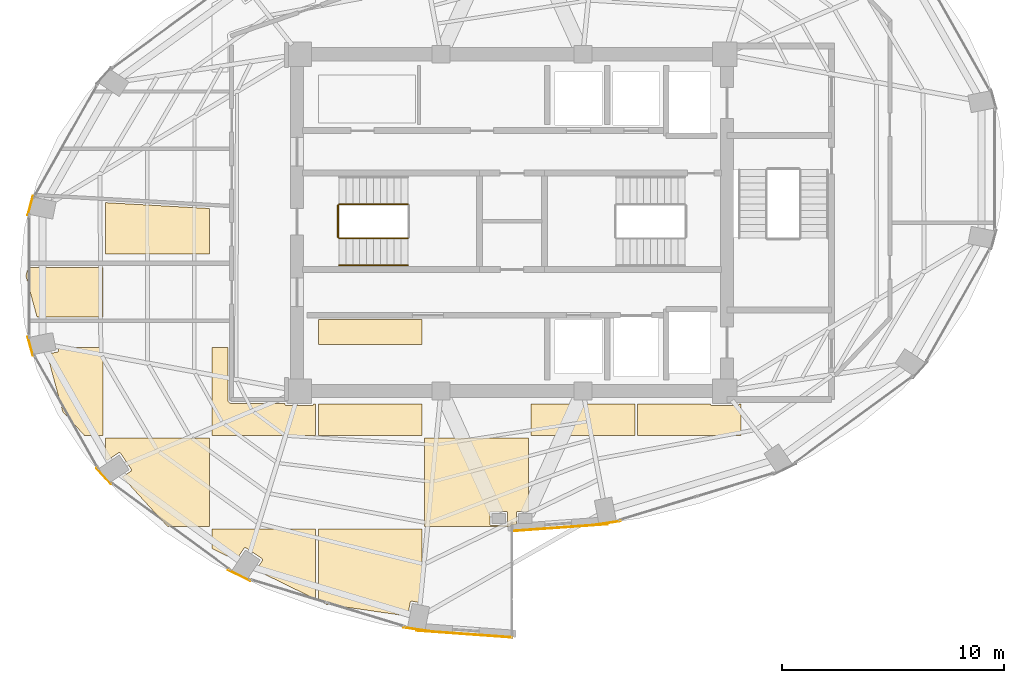
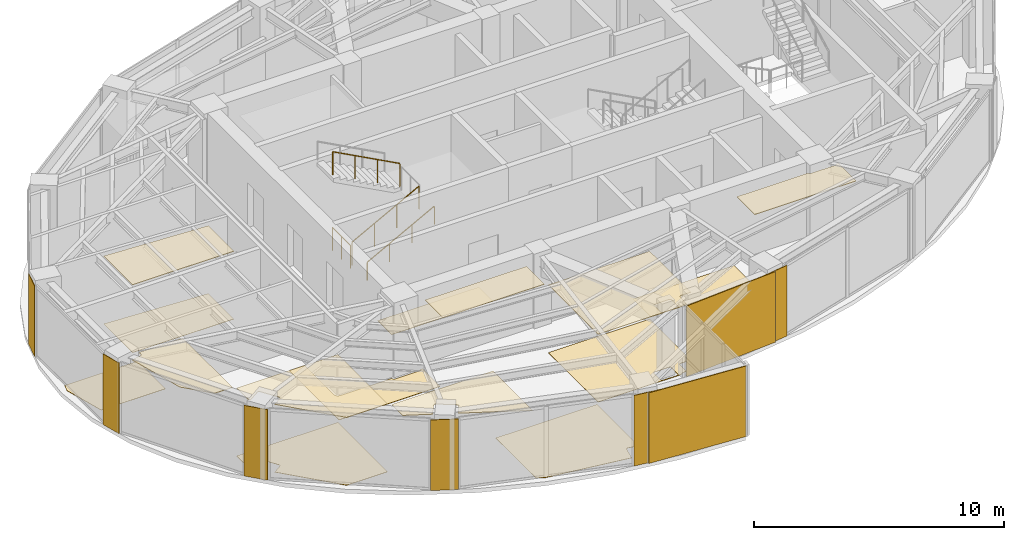
# One storey, part 22 of 23: 23 coverings, 4 railings.
"""IFC4 building model written with IfcOpenShell, lengths in metres."""

import ifcopenshell
import ifcopenshell.guid

model = None  # the IFC model being written
_history = None  # IfcOwnerHistory: only IFC2X3 demands one
_inside = {}  # id of a spatial element -> (the spatial element, [elements in it])
_under = {}  # id of a project, library or spatial element -> (it, [spatial elements below it])
_declared = {}  # id of a project -> (the project, [libraries it declares])
_typed = {}  # id of a type object -> (the type object, [elements of that type])
_made_of = {}  # id of a material, layer set ... -> (it, [elements and type objects made of it])


def new_model(schema):
    """Start an empty IFC model of exactly this schema.

    Asked for "IFC4X3", IfcOpenShell would pick the latest addendum, in which some entities
    have other attributes; the version numbers below select the first issue.
    IFC2X3 requires an IfcOwnerHistory on every rooted entity: one is made here for all.
    """
    global model, _history
    if schema == "IFC4X3":
        model = ifcopenshell.file(schema_version=(4, 3, 0, 0))
    else:
        model = ifcopenshell.file(schema=schema)
    _inside.clear()
    _under.clear()
    _declared.clear()
    _typed.clear()
    _made_of.clear()
    _history = None
    if model.schema == "IFC2X3":
        org = make("IfcOrganization", Name="unknown")
        user = make(
            "IfcPersonAndOrganization",
            ThePerson=make("IfcPerson", FamilyName="unknown"),
            TheOrganization=org,
        )
        app = make(
            "IfcApplication",
            ApplicationDeveloper=org,
            Version="unknown",
            ApplicationFullName="unknown",
            ApplicationIdentifier="unknown",
        )
        _history = make(
            "IfcOwnerHistory",
            OwningUser=user,
            OwningApplication=app,
            ChangeAction="ADDED",
            CreationDate=0,
        )
    return model


def make(cls, **values):
    """One entity of the class cls with the attributes given. An attribute that is None is left unset."""
    return model.create_entity(
        cls, **{name: value for name, value in values.items() if value is not None}
    )


def rooted(cls, **values):
    """An entity with a GlobalId (a new one), such as an element, a storey or a relation."""
    return make(cls, GlobalId=ifcopenshell.guid.new(), OwnerHistory=_history, **values)


def si_unit(unit_type, name, prefix=None):
    """IfcSIUnit, for example si_unit("LENGTHUNIT", "METRE", prefix="MILLI")."""
    return make("IfcSIUnit", UnitType=unit_type, Prefix=prefix, Name=name)


def assignment(units):
    """IfcUnitAssignment: the units of a project."""
    return None if units is None else make("IfcUnitAssignment", Units=units)


def point(xyz):
    """IfcCartesianPoint."""
    return None if xyz is None else make("IfcCartesianPoint", Coordinates=xyz)


def direction(xyz):
    """IfcDirection."""
    return None if xyz is None else make("IfcDirection", DirectionRatios=xyz)


def frame(location, z_axis=None, x_axis=None):
    """IfcAxis2Placement3D, a coordinate frame: its origin and axes. An axis left out is left unset."""
    return make(
        "IfcAxis2Placement3D",
        Location=point(location),
        Axis=direction(z_axis),
        RefDirection=direction(x_axis),
    )


def frame_2d(location, x_axis=None):
    """IfcAxis2Placement2D, a coordinate frame in the plane: its origin and x axis."""
    return make(
        "IfcAxis2Placement2D", Location=point(location), RefDirection=direction(x_axis)
    )


def origin():
    """The frame at (0, 0, 0) with its axes left unset."""
    return frame((0.0, 0.0, 0.0))


def origin_2d():
    """The frame at (0, 0) in the plane with its x axis left unset."""
    return frame_2d((0.0, 0.0))


def place(relative_to, where):
    """IfcLocalPlacement: puts the frame where relative to a parent placement (None: the world)."""
    return make(
        "IfcLocalPlacement", PlacementRelTo=relative_to, RelativePlacement=where
    )


def context(
    kind, dimensions, precision=None, world=None, true_north=None, identifier=None
):
    """IfcGeometricRepresentationContext, for example the 3D "Model" context."""
    return make(
        "IfcGeometricRepresentationContext",
        ContextIdentifier=identifier,
        ContextType=kind,
        CoordinateSpaceDimension=dimensions,
        Precision=precision,
        WorldCoordinateSystem=world,
        TrueNorth=true_north,
    )


def subcontext(parent, identifier, kind, view, scale=None):
    """IfcGeometricRepresentationSubContext, for example "Body" below "Model"."""
    return make(
        "IfcGeometricRepresentationSubContext",
        ContextIdentifier=identifier,
        ContextType=kind,
        ParentContext=parent,
        TargetScale=scale,
        TargetView=view,
    )


def project(units=None, contexts=None):
    """IfcProject with its units and contexts."""
    return rooted(
        "IfcProject",
        Name="project",
        RepresentationContexts=contexts,
        UnitsInContext=assignment(units),
    )


def spatial(cls, under=None, at=None, **own):
    """A site, building, storey or space (cls), placed at a placement, below another one or the project."""
    s = rooted(cls, ObjectPlacement=at, **own)
    if under is not None:
        _under.setdefault(under.id(), (under, []))[1].append(s)
    return s


def polyline(points):
    """IfcPolyline through the points."""
    return make("IfcPolyline", Points=[point(p) for p in points])


def profile(cls, at=None, kind="AREA", **sizes):
    """A parametric profile (cls). Its sizes go by their IFC names, for example OverallWidth=200.0."""
    return make(cls, ProfileType=kind, Position=at, **sizes)


def rectangle(**sizes):
    """IfcRectangleProfileDef."""
    return profile("IfcRectangleProfileDef", **sizes)


def circle(**sizes):
    """IfcCircleProfileDef."""
    return profile("IfcCircleProfileDef", **sizes)


def outline(outer, holes=None, kind="AREA"):
    """IfcArbitraryClosedProfileDef: a profile drawn as a closed curve; with holes, ...WithVoids."""
    if holes is None:
        return make("IfcArbitraryClosedProfileDef", ProfileType=kind, OuterCurve=outer)
    return make(
        "IfcArbitraryProfileDefWithVoids",
        ProfileType=kind,
        OuterCurve=outer,
        InnerCurves=holes,
    )


def extrude(swept, where, along, depth):
    """IfcExtrudedAreaSolid: the profile swept, set in the frame where, extruded along a direction by depth."""
    return make(
        "IfcExtrudedAreaSolid",
        SweptArea=swept,
        Position=where,
        ExtrudedDirection=direction(along),
        Depth=depth,
    )


def shape(context_of_items, identifier, shape_type, items):
    """IfcShapeRepresentation: the items that make up one representation, for example the "Body"."""
    return make(
        "IfcShapeRepresentation",
        ContextOfItems=context_of_items,
        RepresentationIdentifier=identifier,
        RepresentationType=shape_type,
        Items=items,
    )


def material(Name=None, Category=None):
    """IfcMaterial."""
    return make("IfcMaterial", Name=Name, Category=Category)


def layer(
    of_material, thickness, ventilated=None, Name=None, Category=None, Priority=None
):
    """IfcMaterialLayer: one layer of a wall or slab, of a material (None: an air gap)."""
    return make(
        "IfcMaterialLayer",
        Material=of_material,
        LayerThickness=thickness,
        IsVentilated=ventilated,
        Name=Name,
        Category=Category,
        Priority=Priority,
    )


def layer_set(layers, Name=None):
    """IfcMaterialLayerSet."""
    return make("IfcMaterialLayerSet", MaterialLayers=layers, LayerSetName=Name)


def made_of(thing, what):
    """Note that an element or type object is made of a material, layer set ...; save() writes the relation."""
    if what is not None:
        _made_of.setdefault(what.id(), (what, []))[1].append(thing)
    return thing


def type_object(cls, material=None, **own):
    """A type object (cls), such as IfcWallType, which elements share."""
    return made_of(rooted(cls, **own), material)


def element(
    cls,
    number,
    at=None,
    inside=None,
    cuts=None,
    type_object=None,
    material=None,
    context=None,
    identifier="Body",
    shape_type=None,
    held_by="IfcProductDefinitionShape",
    body=None,
    shapes=None,
    **own,
):
    """One element of the class cls, such as IfcWall. Its Tag is "e" and its number.

    at: its placement. inside: the storey or other place that contains it. cuts: it is an
    opening in that element (IfcRelVoidsElement). A single representation is given by context,
    identifier, shape_type and body (its items); several are given by shapes. held_by: the class
    of the entity that holds the representations. save() writes the other relations.
    """
    e = rooted(cls, Tag="e%d" % number, ObjectPlacement=at, **own)
    if body is not None:
        shapes = [shape(context, identifier, shape_type, body)]
    if shapes is not None:
        e.Representation = make(held_by, Representations=shapes)
    if inside is not None:
        _inside.setdefault(inside.id(), (inside, []))[1].append(e)
    if cuts is not None:
        rooted(
            "IfcRelVoidsElement", RelatingBuildingElement=cuts, RelatedOpeningElement=e
        )
    if type_object is not None:
        _typed.setdefault(type_object.id(), (type_object, []))[1].append(e)
    return made_of(e, material)


def aggregate(whole, parts):
    """IfcRelAggregates: a whole, such as a stair, and the parts it consists of."""
    return rooted("IfcRelAggregates", RelatingObject=whole, RelatedObjects=parts)


def save(model, path):
    """Write the relations noted so far, then the file.

    IfcRelAggregates (storeys below a building ...), IfcRelContainedInSpatialStructure (elements
    in a storey), IfcRelDefinesByType, IfcRelAssociatesMaterial and IfcRelDeclares: one each for
    every whole, place, type object, material and project.
    """
    for whole, parts in _under.values():
        aggregate(whole, parts)
    for where, things in _inside.values():
        rooted(
            "IfcRelContainedInSpatialStructure",
            RelatedElements=things,
            RelatingStructure=where,
        )
    for kind, things in _typed.values():
        rooted("IfcRelDefinesByType", RelatedObjects=things, RelatingType=kind)
    for what, things in _made_of.values():
        rooted("IfcRelAssociatesMaterial", RelatedObjects=things, RelatingMaterial=what)
    for by, libraries in _declared.values():
        rooted("IfcRelDeclares", RelatingContext=by, RelatedDefinitions=libraries)
    model.write(path)


model = new_model("IFC4")

# Units and contexts
model_context = context("Model", 3, precision=1e-05, world=origin(), true_north=direction((0.0, 1.0)))
body_context = subcontext(model_context, "Body", "Model", "MODEL_VIEW")
ifc_project = project(units=[si_unit("LENGTHUNIT", "METRE"), si_unit("AREAUNIT", "SQUARE_METRE"), si_unit("VOLUMEUNIT", "CUBIC_METRE"), si_unit("PLANEANGLEUNIT", "RADIAN"), si_unit("MASSUNIT", "GRAM", prefix="KILO")], contexts=[model_context])

# Site, building, storey
site_placement = place(None, origin())
site = spatial("IfcSite", under=ifc_project, at=site_placement, CompositionType="ELEMENT")
building_placement = place(site_placement, origin())
building = spatial("IfcBuilding", under=site, at=building_placement, Name="Lazwardi Medical Tower", CompositionType="ELEMENT")
storey_placement = place(building_placement, frame((0.0, 0.0, 205.77587890625)))
storey = spatial("IfcBuildingStorey", under=building, at=storey_placement, Name="L53", CompositionType="ELEMENT", Elevation=205.77587890625)

# Coverings
ifc_material_1 = material(Name="Anodised bronze aluminium cassette cladding", Category="aluminium")
ifc_layer_1 = layer(ifc_material_1, 0.030029296875)
ifc_layer_set_1 = layer_set([ifc_layer_1], Name="Anodised bronze aluminium cassette cladding")
covering_type_1 = type_object("IfcCoveringType", Name="COV-CLD-BRZ", PredefinedType="CLADDING", material=ifc_layer_set_1)
covering_1_placement = place(storey_placement, frame((40.3232421875, 14.450439453125, 0.0), z_axis=(0.0, 0.0, 1.0), x_axis=(0.989512431533, 0.144447733943, 0.0)))
element("IfcCovering", 1, at=covering_1_placement, inside=storey, type_object=covering_type_1, Name="L53 Mega-column bronze cassette cover M01", PredefinedType="CLADDING", context=body_context, shape_type="SweptSolid", body=[
    extrude(rectangle(XDim=1.188720703125, YDim=0.030029296875, at=origin_2d()), origin(), (0.0, 0.0, 1.0), 3.447998046875),
])
for number, where, z_axis, x_axis, name in (
    (2, (14.265869140625, 28.772705078125, 0.0), (0.0, 0.0, 1.0), (-0.261641748247, -0.96516506131, 0.0), "L53 Mega-column bronze cassette cover M12"),
    (3, (14.265869140625, 22.427490234375, 0.0), (0.0, 0.0, 1.0), (0.261641748247, -0.96516506131, 0.0), "L53 Mega-column bronze cassette cover M13"),
):
    element("IfcCovering", number, at=place(storey_placement, frame(where, z_axis=z_axis, x_axis=x_axis)), inside=storey, type_object=covering_type_1, Name=name, PredefinedType="CLADDING", context=body_context, shape_type="SweptSolid", body=[
        extrude(rectangle(XDim=0.894287109375, YDim=0.030029296875, at=origin_2d()), origin(), (0.0, 0.0, 1.0), 3.447998046875),
    ])
covering_2_placement = place(storey_placement, frame((17.57470703125, 16.565185546875, 0.0), z_axis=(0.0, 0.0, 1.0), x_axis=(0.673240970654, -0.739423150458, 0.0)))
element("IfcCovering", 4, at=covering_2_placement, inside=storey, type_object=covering_type_1, Name="L53 Mega-column bronze cassette cover M14", PredefinedType="CLADDING", context=body_context, shape_type="SweptSolid", body=[
    extrude(rectangle(XDim=0.98974609375, YDim=0.030029296875, at=origin_2d()), origin(), (0.0, 0.0, 1.0), 3.447998046875),
])
covering_3_placement = place(storey_placement, frame((23.688720703125, 12.07861328125, 0.0), z_axis=(0.0, 0.0, 1.0), x_axis=(0.897840141691, -0.440321564278, 0.0)))
element("IfcCovering", 5, at=covering_3_placement, inside=storey, type_object=covering_type_1, Name="L53 Mega-column bronze cassette cover M15", PredefinedType="CLADDING", context=body_context, shape_type="SweptSolid", body=[
    extrude(rectangle(XDim=1.110595703125, YDim=0.030029296875, at=origin_2d()), origin(), (0.0, 0.0, 1.0), 3.447998046875),
])
covering_4_placement = place(storey_placement, frame((31.6767578125, 9.650390625, 0.0), z_axis=(0.0, 0.0, 1.0), x_axis=(0.989512431533, -0.144447733943, 0.0)))
element("IfcCovering", 6, at=covering_4_placement, inside=storey, type_object=covering_type_1, Name="L53 Mega-column bronze cassette cover M16", PredefinedType="CLADDING", context=body_context, shape_type="SweptSolid", body=[
    extrude(rectangle(XDim=1.188720703125, YDim=0.030029296875, at=origin_2d()), origin(), (0.0, 0.0, 1.0), 3.447998046875),
])
ifc_material_2 = material(Name="Turquoise glazed ceramic tilework cladding", Category="masonry")
ifc_layer_2 = layer(ifc_material_2, 0.034912109375)
ifc_layer_set_2 = layer_set([ifc_layer_2], Name="Turquoise glazed ceramic tilework cladding")
covering_type_2 = type_object("IfcCoveringType", Name="COV-CLD-TRQ", PredefinedType="CLADDING", material=ifc_layer_set_2)
covering_5_placement = place(storey_placement, frame((38.16259765625, 14.239990234375, 0.0), z_axis=(0.0, 0.0, 1.0), x_axis=(0.997409491337, 0.071932653157, 0.0)))
element("IfcCovering", 7, at=covering_5_placement, inside=storey, type_object=covering_type_2, Name="L53 Turquoise glazed ceramic tilework cladding", PredefinedType="CLADDING", context=body_context, shape_type="SweptSolid", body=[
    extrude(rectangle(XDim=4.31103515625, YDim=0.034912109375, at=origin_2d()), origin(), (0.0, 0.0, 1.0), 3.447998046875),
])
covering_6_placement = place(storey_placement, frame((33.83740234375, 9.43994140625, 0.0), z_axis=(0.0, 0.0, 1.0), x_axis=(0.997408989128, -0.071939616387, 0.0)))
element("IfcCovering", 8, at=covering_6_placement, inside=storey, type_object=covering_type_2, Name="L53 Turquoise glazed ceramic tilework cladding", PredefinedType="CLADDING", context=body_context, shape_type="SweptSolid", body=[
    extrude(rectangle(XDim=4.310546875, YDim=0.034912109375, at=origin_2d()), origin(), (0.0, 0.0, 1.0), 3.447998046875),
])
ifc_material_3 = material(Name="Acoustic mineral fibre tile")
ifc_layer_3 = layer(ifc_material_3, 0.02490234375)
ifc_layer_set_3 = layer_set([ifc_layer_3], Name="Acoustic mineral fibre tile")
covering_type_3 = type_object("IfcCoveringType", Name="COV-CLG-01", PredefinedType="CEILING", material=ifc_layer_set_3)
covering_7_placement = place(storey_placement, frame((0.0, 0.0, 3.30322265625)))
element("IfcCovering", 9, at=covering_7_placement, inside=storey, type_object=covering_type_3, Name="L53 Clinical Acoustic Ceiling 1", PredefinedType="CEILING", context=body_context, shape_type="SweptSolid", body=[
    extrude(outline(polyline([(15.510498046875, 22.37255859375), (15.534423828125, 22.251953125), (15.53564453125, 22.244140625), (15.535888671875, 22.236328125), (15.53564453125, 22.228515625), (15.534423828125, 22.220703125), (15.53271484375, 22.213134765625), (15.52978515625, 22.205810546875), (15.526611328125, 22.19873046875), (15.5224609375, 22.19189453125), (15.517822265625, 22.185791015625), (15.5126953125, 22.1796875), (15.5068359375, 22.174560546875), (15.50048828125, 22.169921875), (15.49365234375, 22.165771484375), (15.486572265625, 22.16259765625), (15.479248046875, 22.159912109375), (15.4716796875, 22.157958984375), (15.0224609375, 22.068603515625), (15.728271484375, 19.470703125), (16.71240234375, 18.392578125), (17.54296875, 18.392578125), (17.54296875, 22.37255859375), (15.510498046875, 22.37255859375)])), origin(), (0.0, 0.0, 1.0), 0.02490234375),
])
covering_8_placement = place(storey_placement, frame((0.0, 0.0, 3.30322265625)))
element("IfcCovering", 10, at=covering_8_placement, inside=storey, type_object=covering_type_3, Name="L53 Clinical Acoustic Ceiling 2", PredefinedType="CEILING", context=body_context, shape_type="SweptSolid", body=[
    extrude(outline(polyline([(17.662841796875, 17.351318359375), (17.7333984375, 17.273681640625), (18.236572265625, 17.60986328125), (18.2431640625, 17.614013671875), (18.250244140625, 17.6171875), (18.2578125, 17.6201171875), (18.265380859375, 17.621826171875), (18.273193359375, 17.623046875), (18.281005859375, 17.623291015625), (18.288818359375, 17.623046875), (18.29638671875, 17.621826171875), (18.30419921875, 17.6201171875), (18.3115234375, 17.6171875), (18.318603515625, 17.614013671875), (18.3251953125, 17.60986328125), (18.33154296875, 17.605224609375), (18.33740234375, 17.60009765625), (18.3427734375, 17.59423828125), (18.347412109375, 17.587890625), (18.814208984375, 16.889404296875), (18.818115234375, 16.8828125), (18.821533203125, 16.87548828125), (18.82421875, 16.8681640625), (18.826171875, 16.860595703125), (18.8271484375, 16.852783203125), (18.82763671875, 16.844970703125), (18.8271484375, 16.837158203125), (18.826171875, 16.829345703125), (18.82421875, 16.82177734375), (18.821533203125, 16.814453125), (18.818115234375, 16.807373046875), (18.814208984375, 16.800537109375), (18.809326171875, 16.794189453125), (18.80419921875, 16.788330078125), (18.79833984375, 16.783203125), (18.7919921875, 16.778564453125), (18.415283203125, 16.52685546875), (20.45458984375, 14.29248046875), (22.343017578125, 14.29248046875), (22.343017578125, 18.2724609375), (17.662841796875, 18.2724609375), (17.662841796875, 17.351318359375)])), origin(), (0.0, 0.0, 1.0), 0.02490234375),
])
covering_9_placement = place(storey_placement, frame((0.0, 0.0, 3.30322265625)))
element("IfcCovering", 11, at=covering_9_placement, inside=storey, type_object=covering_type_3, Name="L53 Clinical Acoustic Ceiling 3", PredefinedType="CEILING", context=body_context, shape_type="SweptSolid", body=[
    extrude(outline(polyline([(22.343017578125, 28.640380859375), (17.662841796875, 28.902587890625), (17.662841796875, 26.592529296875), (22.343017578125, 26.592529296875), (22.343017578125, 28.640380859375)])), origin(), (0.0, 0.0, 1.0), 0.02490234375),
])
covering_10_placement = place(storey_placement, frame((0.0, 0.0, 3.30322265625)))
element("IfcCovering", 12, at=covering_10_placement, inside=storey, type_object=covering_type_3, Name="L53 Clinical Acoustic Ceiling 4", PredefinedType="CEILING", context=body_context, shape_type="SweptSolid", body=[
    extrude(outline(polyline([(22.462890625, 13.2958984375), (23.545654296875, 12.766357421875), (23.900634765625, 13.297607421875), (23.905517578125, 13.303955078125), (23.91064453125, 13.309814453125), (23.91650390625, 13.31494140625), (23.9228515625, 13.319580078125), (23.929443359375, 13.32373046875), (23.9365234375, 13.3271484375), (23.944091796875, 13.329833984375), (23.95166015625, 13.331787109375), (23.95947265625, 13.332763671875), (23.96728515625, 13.333251953125), (23.97509765625, 13.332763671875), (23.98291015625, 13.331787109375), (23.990478515625, 13.329833984375), (23.997802734375, 13.3271484375), (24.0048828125, 13.32373046875), (24.01171875, 13.319580078125), (24.7099609375, 12.85302734375), (24.71630859375, 12.848388671875), (24.72216796875, 12.843017578125), (24.727294921875, 12.83740234375), (24.732177734375, 12.830810546875), (24.736083984375, 12.82421875), (24.739501953125, 12.817138671875), (24.7421875, 12.809814453125), (24.744140625, 12.802001953125), (24.7451171875, 12.794189453125), (24.74560546875, 12.78662109375), (24.7451171875, 12.77880859375), (24.744140625, 12.77099609375), (24.7421875, 12.76318359375), (24.739501953125, 12.755859375), (24.736083984375, 12.748779296875), (24.732177734375, 12.7421875), (24.4521484375, 12.322998046875), (27.142822265625, 11.006591796875), (27.142822265625, 14.172607421875), (22.462890625, 14.172607421875), (22.462890625, 13.2958984375)])), origin(), (0.0, 0.0, 1.0), 0.02490234375),
])
covering_11_placement = place(storey_placement, frame((0.0, 0.0, 3.30322265625)))
element("IfcCovering", 13, at=covering_11_placement, inside=storey, type_object=covering_type_3, Name="L53 Clinical Acoustic Ceiling 6", PredefinedType="CEILING", context=body_context, shape_type="SweptSolid", body=[
    extrude(outline(polyline([(31.94287109375, 19.820068359375), (27.262939453125, 19.820068359375), (27.262939453125, 18.392578125), (31.94287109375, 18.392578125), (31.94287109375, 19.820068359375)])), origin(), (0.0, 0.0, 1.0), 0.02490234375),
])
covering_12_placement = place(storey_placement, frame((0.0, 0.0, 3.30322265625)))
element("IfcCovering", 14, at=covering_12_placement, inside=storey, type_object=covering_type_3, Name="L53 Clinical Acoustic Ceiling 8", PredefinedType="CEILING", context=body_context, shape_type="SweptSolid", body=[
    extrude(outline(polyline([(35.921142578125, 14.29248046875), (35.92138671875, 14.295166015625), (35.923095703125, 14.302490234375), (35.92578125, 14.309814453125), (35.928955078125, 14.316650390625), (35.9326171875, 14.3232421875), (35.93701171875, 14.329345703125), (35.94189453125, 14.335205078125), (35.947509765625, 14.34033203125), (35.95361328125, 14.34521484375), (35.9599609375, 14.34912109375), (35.966796875, 14.352783203125), (35.9736328125, 14.355712890625), (35.98095703125, 14.357666015625), (35.988525390625, 14.359130859375), (36.201416015625, 14.39013671875), (36.200439453125, 14.397216796875), (36.199951171875, 14.405029296875), (36.199951171875, 14.89501953125), (36.200439453125, 14.90283203125), (36.201416015625, 14.91064453125), (36.203369140625, 14.918212890625), (36.2060546875, 14.925537109375), (36.20947265625, 14.9326171875), (36.21337890625, 14.939453125), (36.21826171875, 14.94580078125), (36.223388671875, 14.95166015625), (36.229248046875, 14.956787109375), (36.235595703125, 14.96142578125), (36.2421875, 14.965576171875), (36.24951171875, 14.968994140625), (36.2568359375, 14.9716796875), (36.264404296875, 14.973388671875), (36.272216796875, 14.974609375), (36.280029296875, 14.97509765625), (36.742919921875, 14.97509765625), (36.742919921875, 18.2724609375), (32.06298828125, 18.2724609375), (32.06298828125, 14.29248046875), (35.921142578125, 14.29248046875)]), holes=[polyline([(35.75048828125, 14.3310546875), (35.7431640625, 14.328369140625), (35.735595703125, 14.326416015625), (35.727783203125, 14.325439453125), (35.719970703125, 14.324951171875), (35.080078125, 14.324951171875), (35.072265625, 14.325439453125), (35.064453125, 14.326416015625), (35.056884765625, 14.328369140625), (35.04931640625, 14.3310546875), (35.042236328125, 14.33447265625), (35.03564453125, 14.33837890625), (35.029296875, 14.34326171875), (35.0234375, 14.348388671875), (35.018310546875, 14.354248046875), (35.013427734375, 14.360595703125), (35.009521484375, 14.3671875), (35.006103515625, 14.37451171875), (35.00341796875, 14.3818359375), (35.00146484375, 14.389404296875), (35.00048828125, 14.397216796875), (35.0, 14.405029296875), (35.0, 14.89501953125), (35.00048828125, 14.90283203125), (35.00146484375, 14.91064453125), (35.00341796875, 14.918212890625), (35.006103515625, 14.925537109375), (35.009521484375, 14.9326171875), (35.013427734375, 14.939453125), (35.018310546875, 14.94580078125), (35.0234375, 14.95166015625), (35.029296875, 14.956787109375), (35.03564453125, 14.96142578125), (35.042236328125, 14.965576171875), (35.04931640625, 14.968994140625), (35.056884765625, 14.9716796875), (35.064453125, 14.973388671875), (35.072265625, 14.974609375), (35.080078125, 14.97509765625), (35.719970703125, 14.97509765625), (35.727783203125, 14.974609375), (35.735595703125, 14.973388671875), (35.7431640625, 14.9716796875), (35.75048828125, 14.968994140625), (35.7578125, 14.965576171875), (35.764404296875, 14.96142578125), (35.770751953125, 14.956787109375), (35.776611328125, 14.95166015625), (35.78173828125, 14.94580078125), (35.78662109375, 14.939453125), (35.79052734375, 14.9326171875), (35.7939453125, 14.925537109375), (35.796630859375, 14.918212890625), (35.798583984375, 14.91064453125), (35.799560546875, 14.90283203125), (35.800048828125, 14.89501953125), (35.800048828125, 14.405029296875), (35.799560546875, 14.397216796875), (35.798583984375, 14.389404296875), (35.796630859375, 14.3818359375), (35.7939453125, 14.37451171875), (35.79052734375, 14.3671875), (35.78662109375, 14.360595703125), (35.78173828125, 14.354248046875), (35.776611328125, 14.348388671875), (35.770751953125, 14.34326171875), (35.764404296875, 14.33837890625), (35.7578125, 14.33447265625), (35.75048828125, 14.3310546875)])]), origin(), (0.0, 0.0, 1.0), 0.02490234375),
])
covering_13_placement = place(storey_placement, frame((0.0, 0.0, 3.30322265625)))
element("IfcCovering", 15, at=covering_13_placement, inside=storey, type_object=covering_type_3, Name="L53 Clinical Acoustic Ceiling 10", PredefinedType="CEILING", context=body_context, shape_type="SweptSolid", body=[
    extrude(outline(polyline([(46.343017578125, 19.820068359375), (46.249267578125, 19.820068359375), (46.24853515625, 19.814453125), (46.24658203125, 19.806884765625), (46.243896484375, 19.79931640625), (46.240478515625, 19.792236328125), (46.236572265625, 19.78564453125), (46.231689453125, 19.779296875), (46.2265625, 19.7734375), (46.220703125, 19.768310546875), (46.21435546875, 19.763427734375), (46.207763671875, 19.759521484375), (46.20068359375, 19.756103515625), (46.193115234375, 19.75341796875), (46.185546875, 19.75146484375), (46.177734375, 19.75048828125), (46.169921875, 19.75), (45.030029296875, 19.75), (45.022216796875, 19.75048828125), (45.014404296875, 19.75146484375), (45.0068359375, 19.75341796875), (44.99951171875, 19.756103515625), (44.9921875, 19.759521484375), (44.985595703125, 19.763427734375), (44.979248046875, 19.768310546875), (44.973388671875, 19.7734375), (44.96826171875, 19.779296875), (44.96337890625, 19.78564453125), (44.95947265625, 19.792236328125), (44.9560546875, 19.79931640625), (44.953369140625, 19.806884765625), (44.951416015625, 19.814453125), (44.95068359375, 19.820068359375), (41.662841796875, 19.820068359375), (41.662841796875, 18.392578125), (46.343017578125, 18.392578125), (46.343017578125, 19.820068359375)])), origin(), (0.0, 0.0, 1.0), 0.02490234375),
])
ifc_material_4 = material(Name="Anti-static hospital vinyl sheet flooring")
ifc_layer_4 = layer(ifc_material_4, 0.014892578125)
ifc_layer_set_4 = layer_set([ifc_layer_4], Name="Anti-static hospital vinyl sheet flooring")
covering_type_4 = type_object("IfcCoveringType", Name="COV-FLR-01", PredefinedType="FLOORING", material=ifc_layer_set_4)
covering_14_placement = place(storey_placement, origin())
element("IfcCovering", 16, at=covering_14_placement, inside=storey, type_object=covering_type_4, Name="L53 Clinical Vinyl Flooring 1", PredefinedType="FLOORING", context=body_context, shape_type="SweptSolid", body=[
    extrude(outline(polyline([(17.54296875, 25.969970703125), (14.16357421875, 25.969970703125), (14.06298828125, 25.60009765625), (14.56689453125, 23.7451171875), (17.54296875, 23.7451171875), (17.54296875, 25.969970703125)])), origin(), (0.0, 0.0, 1.0), 0.01513671875),
])
covering_15_placement = place(storey_placement, origin())
element("IfcCovering", 17, at=covering_15_placement, inside=storey, type_object=covering_type_4, Name="L53 Clinical Vinyl Flooring 2", PredefinedType="FLOORING", context=body_context, shape_type="SweptSolid", body=[
    extrude(outline(polyline([(17.662841796875, 17.351318359375), (17.7333984375, 17.273681640625), (18.236572265625, 17.60986328125), (18.2431640625, 17.614013671875), (18.250244140625, 17.6171875), (18.2578125, 17.6201171875), (18.265380859375, 17.621826171875), (18.273193359375, 17.623046875), (18.281005859375, 17.623291015625), (18.288818359375, 17.623046875), (18.29638671875, 17.621826171875), (18.30419921875, 17.6201171875), (18.3115234375, 17.6171875), (18.318603515625, 17.614013671875), (18.3251953125, 17.60986328125), (18.33154296875, 17.605224609375), (18.33740234375, 17.60009765625), (18.3427734375, 17.59423828125), (18.347412109375, 17.587890625), (18.814208984375, 16.889404296875), (18.818115234375, 16.8828125), (18.821533203125, 16.87548828125), (18.82421875, 16.8681640625), (18.826171875, 16.860595703125), (18.8271484375, 16.852783203125), (18.82763671875, 16.844970703125), (18.8271484375, 16.837158203125), (18.826171875, 16.829345703125), (18.82421875, 16.82177734375), (18.821533203125, 16.814453125), (18.818115234375, 16.807373046875), (18.814208984375, 16.800537109375), (18.809326171875, 16.794189453125), (18.80419921875, 16.788330078125), (18.79833984375, 16.783203125), (18.7919921875, 16.778564453125), (18.415283203125, 16.52685546875), (20.45458984375, 14.29248046875), (22.343017578125, 14.29248046875), (22.343017578125, 18.2724609375), (17.662841796875, 18.2724609375), (17.662841796875, 17.351318359375)])), origin(), (0.0, 0.0, 1.0), 0.01513671875),
])
covering_16_placement = place(storey_placement, origin())
element("IfcCovering", 18, at=covering_16_placement, inside=storey, type_object=covering_type_4, Name="L53 Clinical Vinyl Flooring 3", PredefinedType="FLOORING", context=body_context, shape_type="SweptSolid", body=[
    extrude(outline(polyline([(22.343017578125, 28.640380859375), (17.662841796875, 28.902587890625), (17.662841796875, 26.592529296875), (22.343017578125, 26.592529296875), (22.343017578125, 28.640380859375)])), origin(), (0.0, 0.0, 1.0), 0.01513671875),
])
covering_17_placement = place(storey_placement, origin())
element("IfcCovering", 19, at=covering_17_placement, inside=storey, type_object=covering_type_4, Name="L53 Clinical Vinyl Flooring 4", PredefinedType="FLOORING", context=body_context, shape_type="SweptSolid", body=[
    extrude(outline(polyline([(27.142822265625, 19.820068359375), (27.04931640625, 19.820068359375), (27.048583984375, 19.814453125), (27.046630859375, 19.806884765625), (27.0439453125, 19.79931640625), (27.04052734375, 19.792236328125), (27.03662109375, 19.78564453125), (27.03173828125, 19.779296875), (27.026611328125, 19.7734375), (27.020751953125, 19.768310546875), (27.014404296875, 19.763427734375), (27.0078125, 19.759521484375), (27.00048828125, 19.756103515625), (26.9931640625, 19.75341796875), (26.985595703125, 19.75146484375), (26.977783203125, 19.75048828125), (26.969970703125, 19.75), (25.830078125, 19.75), (25.822265625, 19.75048828125), (25.814453125, 19.75146484375), (25.806884765625, 19.75341796875), (25.79931640625, 19.756103515625), (25.792236328125, 19.759521484375), (25.78564453125, 19.763427734375), (25.779296875, 19.768310546875), (25.7734375, 19.7734375), (25.768310546875, 19.779296875), (25.763427734375, 19.78564453125), (25.759521484375, 19.792236328125), (25.756103515625, 19.79931640625), (25.75341796875, 19.806884765625), (25.75146484375, 19.814453125), (25.75048828125, 19.822265625), (25.75, 19.830078125), (25.75, 19.844970703125), (23.35009765625, 19.844970703125), (23.345703125, 19.84521484375), (23.33642578125, 19.845703125), (23.32958984375, 19.84619140625), (23.3203125, 19.84765625), (23.31201171875, 19.84912109375), (23.302734375, 19.8515625), (23.2958984375, 19.853515625), (23.287109375, 19.856689453125), (23.279296875, 19.860107421875), (23.270751953125, 19.864013671875), (23.263916015625, 19.86767578125), (23.256103515625, 19.872314453125), (23.249267578125, 19.876953125), (23.24169921875, 19.882568359375), (23.236083984375, 19.88720703125), (23.229248046875, 19.893310546875), (23.223388671875, 19.8994140625), (23.217041015625, 19.90625), (23.21240234375, 19.911865234375), (23.206787109375, 19.919189453125), (23.202392578125, 19.926025390625), (23.197509765625, 19.93408203125), (23.194091796875, 19.94091796875), (23.18994140625, 19.94921875), (23.186767578125, 19.95703125), (23.18359375, 19.9658203125), (23.181396484375, 19.972900390625), (23.17919921875, 19.98193359375), (23.177490234375, 19.990234375), (23.17626953125, 19.99951171875), (23.175537109375, 20.00634765625), (23.175048828125, 20.015625), (23.175048828125, 20.02001953125), (23.175048828125, 22.37255859375), (22.462890625, 22.37255859375), (22.462890625, 18.392578125), (27.142822265625, 18.392578125), (27.142822265625, 19.820068359375)])), origin(), (0.0, 0.0, 1.0), 0.01513671875),
])
covering_18_placement = place(storey_placement, origin())
element("IfcCovering", 20, at=covering_18_placement, inside=storey, type_object=covering_type_4, Name="L53 Clinical Vinyl Flooring 5", PredefinedType="FLOORING", context=body_context, shape_type="SweptSolid", body=[
    extrude(outline(polyline([(27.262939453125, 10.947998046875), (27.59716796875, 10.784423828125), (31.285400390625, 10.247314453125), (31.40673828125, 10.8583984375), (31.40869140625, 10.865966796875), (31.411376953125, 10.873291015625), (31.414794921875, 10.88037109375), (31.418701171875, 10.88720703125), (31.423583984375, 10.8935546875), (31.4287109375, 10.8994140625), (31.4345703125, 10.904541015625), (31.44091796875, 10.9091796875), (31.447509765625, 10.913330078125), (31.45458984375, 10.91650390625), (31.462158203125, 10.919189453125), (31.4697265625, 10.921142578125), (31.4775390625, 10.92236328125), (31.4853515625, 10.922607421875), (31.4931640625, 10.92236328125), (31.5009765625, 10.921142578125), (31.94287109375, 10.833251953125), (31.94287109375, 14.172607421875), (27.262939453125, 14.172607421875), (27.262939453125, 10.947998046875)])), origin(), (0.0, 0.0, 1.0), 0.01513671875),
])
covering_19_placement = place(storey_placement, origin())
element("IfcCovering", 21, at=covering_19_placement, inside=storey, type_object=covering_type_4, Name="L53 Clinical Vinyl Flooring 6", PredefinedType="FLOORING", context=body_context, shape_type="SweptSolid", body=[
    extrude(outline(polyline([(31.94287109375, 23.6201171875), (27.262939453125, 23.6201171875), (27.262939453125, 22.492431640625), (31.94287109375, 22.492431640625), (31.94287109375, 23.6201171875)])), origin(), (0.0, 0.0, 1.0), 0.01513671875),
])
covering_20_placement = place(storey_placement, origin())
element("IfcCovering", 22, at=covering_20_placement, inside=storey, type_object=covering_type_4, Name="L53 Clinical Vinyl Flooring 7", PredefinedType="FLOORING", context=body_context, shape_type="SweptSolid", body=[
    extrude(outline(polyline([(35.921142578125, 14.29248046875), (35.92138671875, 14.295166015625), (35.923095703125, 14.302490234375), (35.92578125, 14.309814453125), (35.928955078125, 14.316650390625), (35.9326171875, 14.3232421875), (35.93701171875, 14.329345703125), (35.94189453125, 14.335205078125), (35.947509765625, 14.34033203125), (35.95361328125, 14.34521484375), (35.9599609375, 14.34912109375), (35.966796875, 14.352783203125), (35.9736328125, 14.355712890625), (35.98095703125, 14.357666015625), (35.988525390625, 14.359130859375), (36.201416015625, 14.39013671875), (36.200439453125, 14.397216796875), (36.199951171875, 14.405029296875), (36.199951171875, 14.89501953125), (36.200439453125, 14.90283203125), (36.201416015625, 14.91064453125), (36.203369140625, 14.918212890625), (36.2060546875, 14.925537109375), (36.20947265625, 14.9326171875), (36.21337890625, 14.939453125), (36.21826171875, 14.94580078125), (36.223388671875, 14.95166015625), (36.229248046875, 14.956787109375), (36.235595703125, 14.96142578125), (36.2421875, 14.965576171875), (36.24951171875, 14.968994140625), (36.2568359375, 14.9716796875), (36.264404296875, 14.973388671875), (36.272216796875, 14.974609375), (36.280029296875, 14.97509765625), (36.742919921875, 14.97509765625), (36.742919921875, 18.2724609375), (32.06298828125, 18.2724609375), (32.06298828125, 14.29248046875), (35.921142578125, 14.29248046875)]), holes=[polyline([(35.75048828125, 14.3310546875), (35.7431640625, 14.328369140625), (35.735595703125, 14.326416015625), (35.727783203125, 14.325439453125), (35.719970703125, 14.324951171875), (35.080078125, 14.324951171875), (35.072265625, 14.325439453125), (35.064453125, 14.326416015625), (35.056884765625, 14.328369140625), (35.04931640625, 14.3310546875), (35.042236328125, 14.33447265625), (35.03564453125, 14.33837890625), (35.029296875, 14.34326171875), (35.0234375, 14.348388671875), (35.018310546875, 14.354248046875), (35.013427734375, 14.360595703125), (35.009521484375, 14.3671875), (35.006103515625, 14.37451171875), (35.00341796875, 14.3818359375), (35.00146484375, 14.389404296875), (35.00048828125, 14.397216796875), (35.0, 14.405029296875), (35.0, 14.89501953125), (35.00048828125, 14.90283203125), (35.00146484375, 14.91064453125), (35.00341796875, 14.918212890625), (35.006103515625, 14.925537109375), (35.009521484375, 14.9326171875), (35.013427734375, 14.939453125), (35.018310546875, 14.94580078125), (35.0234375, 14.95166015625), (35.029296875, 14.956787109375), (35.03564453125, 14.96142578125), (35.042236328125, 14.965576171875), (35.04931640625, 14.968994140625), (35.056884765625, 14.9716796875), (35.064453125, 14.973388671875), (35.072265625, 14.974609375), (35.080078125, 14.97509765625), (35.719970703125, 14.97509765625), (35.727783203125, 14.974609375), (35.735595703125, 14.973388671875), (35.7431640625, 14.9716796875), (35.75048828125, 14.968994140625), (35.7578125, 14.965576171875), (35.764404296875, 14.96142578125), (35.770751953125, 14.956787109375), (35.776611328125, 14.95166015625), (35.78173828125, 14.94580078125), (35.78662109375, 14.939453125), (35.79052734375, 14.9326171875), (35.7939453125, 14.925537109375), (35.796630859375, 14.918212890625), (35.798583984375, 14.91064453125), (35.799560546875, 14.90283203125), (35.800048828125, 14.89501953125), (35.800048828125, 14.405029296875), (35.799560546875, 14.397216796875), (35.798583984375, 14.389404296875), (35.796630859375, 14.3818359375), (35.7939453125, 14.37451171875), (35.79052734375, 14.3671875), (35.78662109375, 14.360595703125), (35.78173828125, 14.354248046875), (35.776611328125, 14.348388671875), (35.770751953125, 14.34326171875), (35.764404296875, 14.33837890625), (35.7578125, 14.33447265625), (35.75048828125, 14.3310546875)])]), origin(), (0.0, 0.0, 1.0), 0.01513671875),
])
covering_21_placement = place(storey_placement, origin())
element("IfcCovering", 23, at=covering_21_placement, inside=storey, type_object=covering_type_4, Name="L53 Clinical Vinyl Flooring 9", PredefinedType="FLOORING", context=body_context, shape_type="SweptSolid", body=[
    extrude(outline(polyline([(41.54296875, 19.820068359375), (36.86279296875, 19.820068359375), (36.86279296875, 18.392578125), (41.54296875, 18.392578125), (41.54296875, 19.820068359375)])), origin(), (0.0, 0.0, 1.0), 0.01513671875),
])

# Railings
ifc_material_5 = material(Name="Stainless steel Grade 316", Category="steel")
railing_type_1 = type_object("IfcRailingType", Name="RLG-GRD-1150", PredefinedType="GUARDRAIL", material=ifc_material_5)
railing_1_placement = place(storey_placement, frame((28.199951171875, 27.2900390625, 0.166015625)))
element("IfcRailing", 24, at=railing_1_placement, inside=storey, type_object=railing_type_1, Name="L53 ST1 stair guard 1", PredefinedType="GUARDRAIL", context=body_context, shape_type="SweptSolid", body=[
    extrude(circle(Radius=0.02392578125, at=origin_2d()), frame((0.0, 0.0, 1.1259765625), z_axis=(0.881783298633, 0.0, 0.471654761719), x_axis=(0.0, 1.0, 0.0)), (0.0, 0.0, 1.0), 3.515625),
    extrude(circle(Radius=0.02099609375, at=origin_2d()), origin(), (0.0, 0.0, 1.0), 1.099853515625),
    extrude(circle(Radius=0.02099609375, at=origin_2d()), frame((1.033447265625, 0.0, 0.552734375)), (0.0, 0.0, 1.0), 1.099853515625),
    extrude(circle(Radius=0.02099609375, at=origin_2d()), frame((2.066650390625, 0.0, 1.10546875)), (0.0, 0.0, 1.0), 1.099853515625),
    extrude(circle(Radius=0.02099609375, at=origin_2d()), frame((3.10009765625, 0.0, 1.658203125)), (0.0, 0.0, 1.0), 1.099853515625),
])
railing_2_placement = place(storey_placement, frame((31.300048828125, 28.830078125, 1.989990234375)))
element("IfcRailing", 25, at=railing_2_placement, inside=storey, type_object=railing_type_1, Name="L53 ST1 stair guard 3", PredefinedType="GUARDRAIL", context=body_context, shape_type="SweptSolid", body=[
    extrude(circle(Radius=0.02392578125, at=origin_2d()), frame((0.0, 0.0, 1.1259765625), z_axis=(-0.881783298633, 0.0, 0.471654761719), x_axis=(0.0, -1.0, 0.0)), (0.0, 0.0, 1.0), 3.515625),
    extrude(circle(Radius=0.02099609375, at=origin_2d()), origin(), (0.0, 0.0, 1.0), 1.099853515625),
    extrude(circle(Radius=0.02099609375, at=origin_2d()), frame((-1.033447265625, 0.0, 0.552734375)), (0.0, 0.0, 1.0), 1.099853515625),
    extrude(circle(Radius=0.02099609375, at=origin_2d()), frame((-2.066650390625, 0.0, 1.10546875)), (0.0, 0.0, 1.0), 1.099853515625),
    extrude(circle(Radius=0.02099609375, at=origin_2d()), frame((-3.10009765625, 0.0, 1.658203125)), (0.0, 0.0, 1.0), 1.099853515625),
])
railing_3_placement = place(storey_placement, frame((28.14990234375, 27.340087890625, 0.0)))
element("IfcRailing", 26, at=railing_3_placement, inside=storey, type_object=railing_type_1, Name="L53 ST1 stair guard 4", PredefinedType="GUARDRAIL", context=body_context, shape_type="SweptSolid", body=[
    extrude(circle(Radius=0.02392578125, at=origin_2d()), frame((0.0, 0.0, 1.1259765625), z_axis=(0.0, 1.0, 0.0), x_axis=(-1.0, 0.0, 0.0)), (0.0, 0.0, 1.0), 1.43994140625),
    extrude(circle(Radius=0.02099609375, at=origin_2d()), origin(), (0.0, 0.0, 1.0), 1.099853515625),
    extrude(circle(Radius=0.02099609375, at=origin_2d()), frame((0.0, 0.719970703125, 0.0)), (0.0, 0.0, 1.0), 1.099853515625),
    extrude(circle(Radius=0.02099609375, at=origin_2d()), frame((0.0, 1.43994140625, 0.0)), (0.0, 0.0, 1.0), 1.099853515625),
])
railing_type_2 = type_object("IfcRailingType", Name="RLG-HND-920", PredefinedType="HANDRAIL", material=ifc_material_5)
railing_4_placement = place(storey_placement, frame((28.199951171875, 26.070068359375, 0.166015625)))
element("IfcRailing", 27, at=railing_4_placement, inside=storey, type_object=railing_type_2, Name="L53 ST1 stair handrail 1", PredefinedType="HANDRAIL", context=body_context, shape_type="SweptSolid", body=[
    extrude(circle(Radius=0.02392578125, at=origin_2d()), frame((0.0, 0.0, 0.8857421875), z_axis=(0.881783298633, 0.0, 0.471654761719), x_axis=(0.0, 1.0, 0.0)), (0.0, 0.0, 1.0), 3.515625),
    extrude(circle(Radius=0.02099609375, at=origin_2d()), origin(), (0.0, 0.0, 1.0), 0.85986328125),
    extrude(circle(Radius=0.02099609375, at=origin_2d()), frame((1.033447265625, 0.0, 0.552734375)), (0.0, 0.0, 1.0), 0.85986328125),
    extrude(circle(Radius=0.02099609375, at=origin_2d()), frame((2.066650390625, 0.0, 1.10546875)), (0.0, 0.0, 1.0), 0.85986328125),
    extrude(circle(Radius=0.02099609375, at=origin_2d()), frame((3.10009765625, 0.0, 1.658203125)), (0.0, 0.0, 1.0), 0.85986328125),
])

save(model, "model.ifc")
